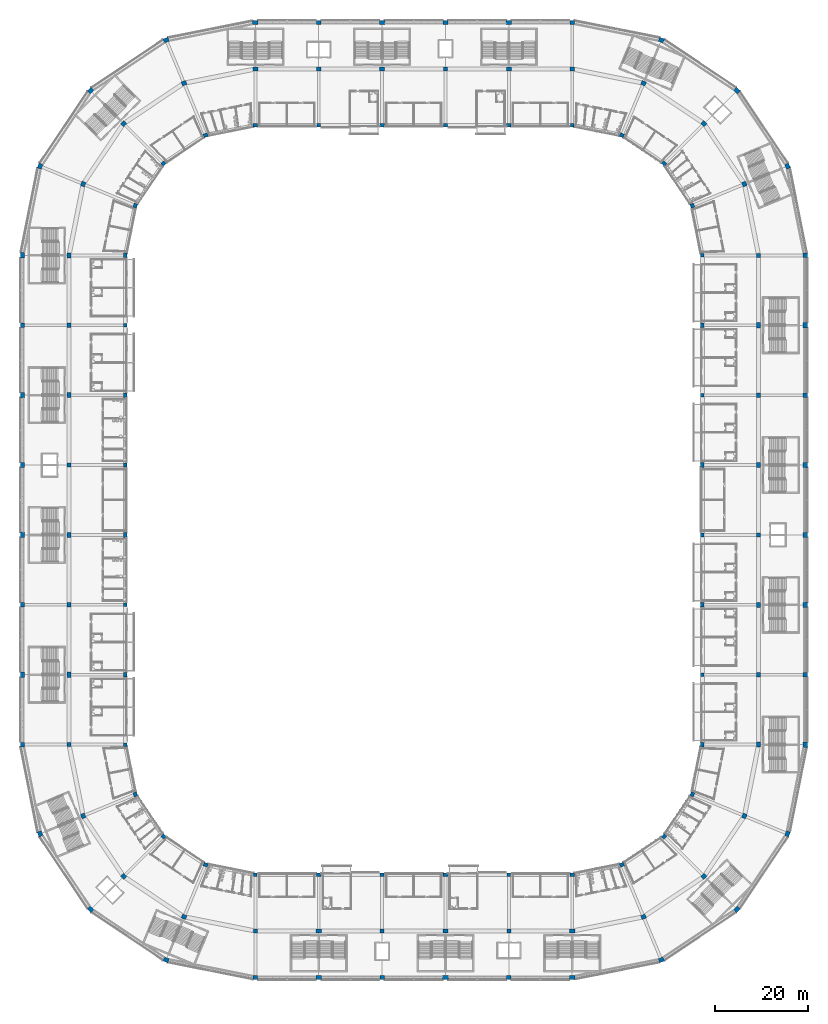
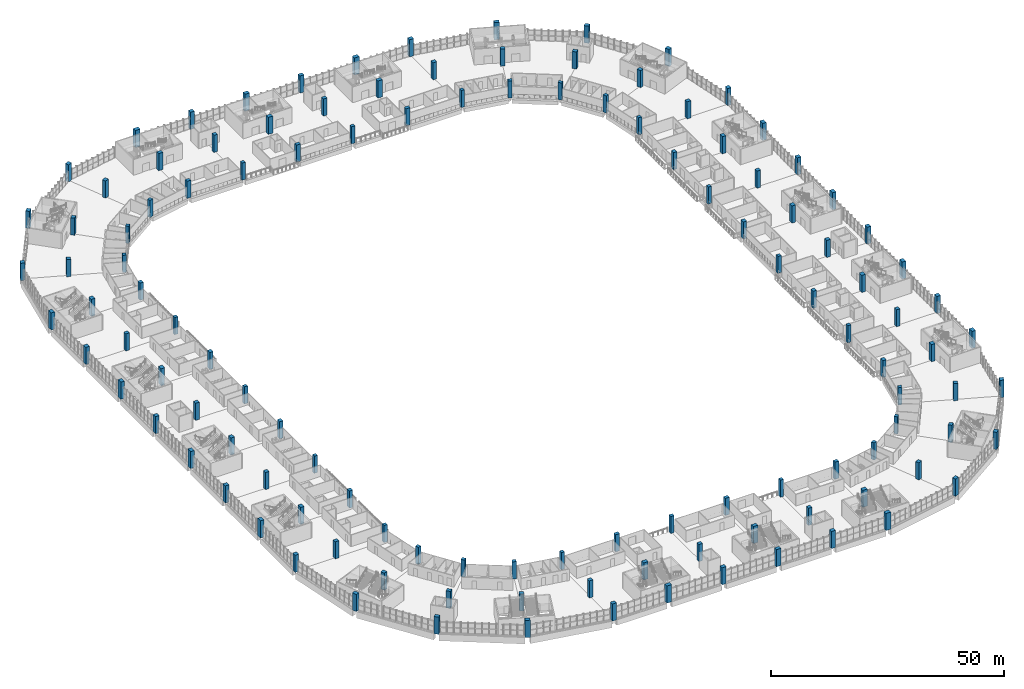
# One storey, part 1 of 199: 120 columns.
"""IFC4 building model written with IfcOpenShell, lengths in metres."""

from ifc_helpers import new_model, si_unit, direction, frame, origin, origin_2d, place, context, subcontext, project, spatial, rectangle, extrude, material, material_profile, profile_set, type_object, element, save


model = new_model("IFC4")

# Units and contexts
model_context = context("Model", 3, precision=1e-05, world=origin(), true_north=direction((0.0, 1.0)))
body_context = subcontext(model_context, "Body", "Model", "MODEL_VIEW")
ifc_project = project(units=[si_unit("LENGTHUNIT", "METRE"), si_unit("AREAUNIT", "SQUARE_METRE"), si_unit("VOLUMEUNIT", "CUBIC_METRE"), si_unit("PLANEANGLEUNIT", "RADIAN"), si_unit("MASSUNIT", "GRAM", prefix="KILO")], contexts=[model_context])

# Site, building, storey
site_placement = place(None, origin())
site = spatial("IfcSite", under=ifc_project, at=site_placement, CompositionType="ELEMENT")
building_placement = place(site_placement, origin())
building = spatial("IfcBuilding", under=site, at=building_placement, Name="Ogive Plaza Stadium", CompositionType="ELEMENT")
storey_placement = place(building_placement, frame((0.0, 0.0, 9.0)))
storey = spatial("IfcBuildingStorey", under=building, at=storey_placement, Name="L02", CompositionType="ELEMENT", Elevation=9.0)

# Columns
ifc_material_1 = material(Name="Concrete C40/50", Category="concrete")
ifc_material_profile_1 = material_profile(ifc_material_1, rectangle(XDim=1.0, YDim=0.800048828125, at=origin_2d()), Name="RC 1000x800")
ifc_profile_set_1 = profile_set([ifc_material_profile_1], Name="Concrete C40/50")
column_type_1 = type_object("IfcColumnType", Name="RC column F3 core 1000x800", PredefinedType="COLUMN", material=ifc_profile_set_1)
for number, where, z_axis, x_axis, name in (
    (1, (61.89990234375, 37.5, 0.0), (0.0, 0.0, 1.0), (0.0, 1.0, 0.0), "Column F3 R02 L02"),
    (2, (61.89990234375, 7.5, 0.0), (0.0, 0.0, 1.0), (0.0, 1.0, 0.0), "Column F3 R04 L02"),
    (3, (61.89990234375, -22.5, 0.0), (0.0, 0.0, 1.0), (0.0, 1.0, 0.0), "Column F3 R06 L02"),
    (4, (61.89990234375, -52.5, 0.0), (0.0, 0.0, 1.0), (0.0, 1.0, 0.0), "Column F3 R08 L02"),
    (5, (34.0, -80.39990234375, 0.0), (0.0, 0.0, 1.0), (1.0, 0.0, 0.0), "Column F3 R12 L02"),
    (6, (6.800048828125, -80.39990234375, 0.0), (0.0, 0.0, 1.0), (1.0, 0.0, 0.0), "Column F3 R14 L02"),
    (7, (-20.39990234375, -80.39990234375, 0.0), (0.0, 0.0, 1.0), (1.0, 0.0, 0.0), "Column F3 R16 L02"),
    (8, (-61.89990234375, -37.5, 0.0), (0.0, 0.0, 1.0), (0.0, -1.0, 0.0), "Column F3 R22 L02"),
    (9, (-61.89990234375, -7.5, 0.0), (0.0, 0.0, 1.0), (0.0, -1.0, 0.0), "Column F3 R24 L02"),
    (10, (-61.89990234375, 22.5, 0.0), (0.0, 0.0, 1.0), (0.0, -1.0, 0.0), "Column F3 R26 L02"),
    (11, (-61.89990234375, 52.5, 0.0), (0.0, 0.0, 1.0), (0.0, -1.0, 0.0), "Column F3 R28 L02"),
    (12, (-34.0, 80.39990234375, 0.0), (0.0, 0.0, 1.0), (-1.0, 0.0, 0.0), "Column F3 R32 L02"),
    (13, (-6.800048828125, 80.39990234375, 0.0), (0.0, 0.0, 1.0), (-1.0, 0.0, 0.0), "Column F3 R34 L02"),
    (14, (20.39990234375, 80.39990234375, 0.0), (0.0, 0.0, 1.0), (-1.0, 0.0, 0.0), "Column F3 R36 L02"),
):
    element("IfcColumn", number, at=place(storey_placement, frame(where, z_axis=z_axis, x_axis=x_axis)), inside=storey, type_object=column_type_1, Name=name, PredefinedType="COLUMN", context=body_context, shape_type="SweptSolid", body=[
        extrude(rectangle(XDim=1.0, YDim=0.800048828125, at=origin_2d()), origin(), (0.0, 0.0, 1.0), 4.5),
    ])
ifc_material_2 = material(Name="Concrete C40/50", Category="concrete")
ifc_material_profile_2 = material_profile(ifc_material_2, rectangle(XDim=0.89990234375, YDim=0.800048828125, at=origin_2d()), Name="RC 900x800")
ifc_profile_set_2 = profile_set([ifc_material_profile_2], Name="Concrete C40/50")
column_type_2 = type_object("IfcColumnType", Name="RC column F3 corner 900x800", PredefinedType="COLUMN", material=ifc_profile_set_2)
for number, where, z_axis, x_axis, name in (
    (15, (59.776123046875, -63.1767578125, 0.0), (0.0, 0.0, 1.0), (0.382683432365, 0.923879532511, 0.0), "Column F3 R09 L02"),
    (16, (53.728271484375, -72.228271484375, 0.0), (0.0, 0.0, 1.0), (0.707106781187, 0.707106781187, 0.0), "Column F3 R10 L02"),
    (17, (44.6767578125, -78.276123046875, 0.0), (0.0, 0.0, 1.0), (0.923879532511, 0.382683432365, 0.0), "Column F3 R11 L02"),
    (18, (-44.6767578125, -78.276123046875, 0.0), (0.0, 0.0, 1.0), (0.923879532511, -0.382683432365, 0.0), "Column F3 R18 L02"),
    (19, (-53.728271484375, -72.228271484375, 0.0), (0.0, 0.0, 1.0), (0.707106781187, -0.707106781187, 0.0), "Column F3 R19 L02"),
    (20, (-59.776123046875, -63.1767578125, 0.0), (0.0, 0.0, 1.0), (0.382683432365, -0.923879532511, 0.0), "Column F3 R20 L02"),
    (21, (-59.776123046875, 63.1767578125, 0.0), (0.0, 0.0, 1.0), (-0.382683432365, -0.923879532511, 0.0), "Column F3 R29 L02"),
    (22, (-53.728271484375, 72.228271484375, 0.0), (0.0, 0.0, 1.0), (-0.707106781187, -0.707106781187, 0.0), "Column F3 R30 L02"),
    (23, (-44.6767578125, 78.276123046875, 0.0), (0.0, 0.0, 1.0), (-0.923879532511, -0.382683432365, 0.0), "Column F3 R31 L02"),
    (24, (44.6767578125, 78.276123046875, 0.0), (0.0, 0.0, 1.0), (-0.923879532511, 0.382683432365, 0.0), "Column F3 R38 L02"),
    (25, (53.728271484375, 72.228271484375, 0.0), (0.0, 0.0, 1.0), (-0.707106781187, 0.707106781187, 0.0), "Column F3 R39 L02"),
    (26, (59.776123046875, 63.1767578125, 0.0), (0.0, 0.0, 1.0), (-0.382683432365, 0.923879532511, 0.0), "Column F3 R40 L02"),
):
    element("IfcColumn", number, at=place(storey_placement, frame(where, z_axis=z_axis, x_axis=x_axis)), inside=storey, type_object=column_type_2, Name=name, PredefinedType="COLUMN", context=body_context, shape_type="SweptSolid", body=[
        extrude(rectangle(XDim=0.89990234375, YDim=0.800048828125, at=origin_2d()), origin(), (0.0, 0.0, 1.0), 4.5),
    ])
ifc_material_3 = material(Name="Concrete C40/50", Category="concrete")
ifc_material_profile_3 = material_profile(ifc_material_3, rectangle(XDim=0.800048828125, YDim=0.800048828125, at=origin_2d()), Name="RC 800x800")
ifc_profile_set_3 = profile_set([ifc_material_profile_3], Name="Concrete C40/50")
column_type_3 = type_object("IfcColumnType", Name="RC column F3 typical 800x800", PredefinedType="COLUMN", material=ifc_profile_set_3)
for number, where, z_axis, x_axis, name in (
    (27, (61.89990234375, 52.5, 0.0), (0.0, 0.0, 1.0), (0.0, 1.0, 0.0), "Column F3 R01 L02"),
    (28, (61.89990234375, 22.5, 0.0), (0.0, 0.0, 1.0), (0.0, 1.0, 0.0), "Column F3 R03 L02"),
    (29, (61.89990234375, -7.5, 0.0), (0.0, 0.0, 1.0), (0.0, 1.0, 0.0), "Column F3 R05 L02"),
    (30, (61.89990234375, -37.5, 0.0), (0.0, 0.0, 1.0), (0.0, 1.0, 0.0), "Column F3 R07 L02"),
    (31, (20.39990234375, -80.39990234375, 0.0), (0.0, 0.0, 1.0), (1.0, 0.0, 0.0), "Column F3 R13 L02"),
    (32, (-6.800048828125, -80.39990234375, 0.0), (0.0, 0.0, 1.0), (1.0, 0.0, 0.0), "Column F3 R15 L02"),
    (33, (-34.0, -80.39990234375, 0.0), (0.0, 0.0, 1.0), (1.0, 0.0, 0.0), "Column F3 R17 L02"),
    (34, (-61.89990234375, -52.5, 0.0), (0.0, 0.0, 1.0), (0.0, -1.0, 0.0), "Column F3 R21 L02"),
    (35, (-61.89990234375, -22.5, 0.0), (0.0, 0.0, 1.0), (0.0, -1.0, 0.0), "Column F3 R23 L02"),
    (36, (-61.89990234375, 7.5, 0.0), (0.0, 0.0, 1.0), (0.0, -1.0, 0.0), "Column F3 R25 L02"),
    (37, (-61.89990234375, 37.5, 0.0), (0.0, 0.0, 1.0), (0.0, -1.0, 0.0), "Column F3 R27 L02"),
    (38, (-20.39990234375, 80.39990234375, 0.0), (0.0, 0.0, 1.0), (-1.0, 0.0, 0.0), "Column F3 R33 L02"),
    (39, (6.800048828125, 80.39990234375, 0.0), (0.0, 0.0, 1.0), (-1.0, 0.0, 0.0), "Column F3 R35 L02"),
    (40, (34.0, 80.39990234375, 0.0), (0.0, 0.0, 1.0), (-1.0, 0.0, 0.0), "Column F3 R37 L02"),
):
    element("IfcColumn", number, at=place(storey_placement, frame(where, z_axis=z_axis, x_axis=x_axis)), inside=storey, type_object=column_type_3, Name=name, PredefinedType="COLUMN", context=body_context, shape_type="SweptSolid", body=[
        extrude(rectangle(XDim=0.800048828125, YDim=0.800048828125, at=origin_2d()), origin(), (0.0, 0.0, 1.0), 4.5),
    ])
ifc_material_4 = material(Name="Concrete C40/50", Category="concrete")
ifc_material_profile_4 = material_profile(ifc_material_4, rectangle(XDim=1.10009765625, YDim=0.89990234375, at=origin_2d()), Name="RC 1100x900")
ifc_profile_set_4 = profile_set([ifc_material_profile_4], Name="Concrete C40/50")
column_type_4 = type_object("IfcColumnType", Name="RC column F4 core 1100x900", PredefinedType="COLUMN", material=ifc_profile_set_4)
for number, where, z_axis, x_axis, name in (
    (41, (74.0, 37.5, 0.0), (0.0, 0.0, 1.0), (0.0, 1.0, 0.0), "Column F4 R02 L02"),
    (42, (74.0, 7.5, 0.0), (0.0, 0.0, 1.0), (0.0, 1.0, 0.0), "Column F4 R04 L02"),
    (43, (74.0, -22.5, 0.0), (0.0, 0.0, 1.0), (0.0, 1.0, 0.0), "Column F4 R06 L02"),
    (44, (74.0, -52.5, 0.0), (0.0, 0.0, 1.0), (0.0, 1.0, 0.0), "Column F4 R08 L02"),
    (45, (34.0, -92.5, 0.0), (0.0, 0.0, 1.0), (1.0, 0.0, 0.0), "Column F4 R12 L02"),
    (46, (6.800048828125, -92.5, 0.0), (0.0, 0.0, 1.0), (1.0, 0.0, 0.0), "Column F4 R14 L02"),
    (47, (-20.39990234375, -92.5, 0.0), (0.0, 0.0, 1.0), (1.0, 0.0, 0.0), "Column F4 R16 L02"),
    (48, (-74.0, -37.5, 0.0), (0.0, 0.0, 1.0), (0.0, -1.0, 0.0), "Column F4 R22 L02"),
    (49, (-74.0, -7.5, 0.0), (0.0, 0.0, 1.0), (0.0, -1.0, 0.0), "Column F4 R24 L02"),
    (50, (-74.0, 22.5, 0.0), (0.0, 0.0, 1.0), (0.0, -1.0, 0.0), "Column F4 R26 L02"),
    (51, (-74.0, 52.5, 0.0), (0.0, 0.0, 1.0), (0.0, -1.0, 0.0), "Column F4 R28 L02"),
    (52, (-34.0, 92.5, 0.0), (0.0, 0.0, 1.0), (-1.0, 0.0, 0.0), "Column F4 R32 L02"),
    (53, (-6.800048828125, 92.5, 0.0), (0.0, 0.0, 1.0), (-1.0, 0.0, 0.0), "Column F4 R34 L02"),
    (54, (20.39990234375, 92.5, 0.0), (0.0, 0.0, 1.0), (-1.0, 0.0, 0.0), "Column F4 R36 L02"),
):
    element("IfcColumn", number, at=place(storey_placement, frame(where, z_axis=z_axis, x_axis=x_axis)), inside=storey, type_object=column_type_4, Name=name, PredefinedType="COLUMN", context=body_context, shape_type="SweptSolid", body=[
        extrude(rectangle(XDim=1.10009765625, YDim=0.89990234375, at=origin_2d()), origin(), (0.0, 0.0, 1.0), 4.5),
    ])
ifc_material_5 = material(Name="Concrete C40/50", Category="concrete")
ifc_material_profile_5 = material_profile(ifc_material_5, rectangle(XDim=1.0, YDim=0.89990234375, at=origin_2d()), Name="RC 1000x900")
ifc_profile_set_5 = profile_set([ifc_material_profile_5], Name="Concrete C40/50")
column_type_5 = type_object("IfcColumnType", Name="RC column F4 corner 1000x900", PredefinedType="COLUMN", material=ifc_profile_set_5)
for number, where, z_axis, x_axis, name in (
    (55, (70.955078125, -67.807373046875, 0.0), (0.0, 0.0, 1.0), (0.382683432365, 0.923879532511, 0.0), "Column F4 R09 L02"),
    (56, (62.2841796875, -80.7841796875, 0.0), (0.0, 0.0, 1.0), (0.707106781187, 0.707106781187, 0.0), "Column F4 R10 L02"),
    (57, (49.307373046875, -89.455078125, 0.0), (0.0, 0.0, 1.0), (0.923879532511, 0.382683432365, 0.0), "Column F4 R11 L02"),
    (58, (-49.307373046875, -89.455078125, 0.0), (0.0, 0.0, 1.0), (0.923879532511, -0.382683432365, 0.0), "Column F4 R18 L02"),
    (59, (-62.2841796875, -80.7841796875, 0.0), (0.0, 0.0, 1.0), (0.707106781187, -0.707106781187, 0.0), "Column F4 R19 L02"),
    (60, (-70.955078125, -67.807373046875, 0.0), (0.0, 0.0, 1.0), (0.382683432365, -0.923879532511, 0.0), "Column F4 R20 L02"),
    (61, (-70.955078125, 67.807373046875, 0.0), (0.0, 0.0, 1.0), (-0.382683432365, -0.923879532511, 0.0), "Column F4 R29 L02"),
    (62, (-62.2841796875, 80.7841796875, 0.0), (0.0, 0.0, 1.0), (-0.707106781187, -0.707106781187, 0.0), "Column F4 R30 L02"),
    (63, (-49.307373046875, 89.455078125, 0.0), (0.0, 0.0, 1.0), (-0.923879532511, -0.382683432365, 0.0), "Column F4 R31 L02"),
    (64, (49.307373046875, 89.455078125, 0.0), (0.0, 0.0, 1.0), (-0.923879532511, 0.382683432365, 0.0), "Column F4 R38 L02"),
    (65, (62.2841796875, 80.7841796875, 0.0), (0.0, 0.0, 1.0), (-0.707106781187, 0.707106781187, 0.0), "Column F4 R39 L02"),
    (66, (70.955078125, 67.807373046875, 0.0), (0.0, 0.0, 1.0), (-0.382683432365, 0.923879532511, 0.0), "Column F4 R40 L02"),
):
    element("IfcColumn", number, at=place(storey_placement, frame(where, z_axis=z_axis, x_axis=x_axis)), inside=storey, type_object=column_type_5, Name=name, PredefinedType="COLUMN", context=body_context, shape_type="SweptSolid", body=[
        extrude(rectangle(XDim=1.0, YDim=0.89990234375, at=origin_2d()), origin(), (0.0, 0.0, 1.0), 4.5),
    ])
ifc_material_6 = material(Name="Concrete C40/50", Category="concrete")
ifc_material_profile_6 = material_profile(ifc_material_6, rectangle(XDim=0.89990234375, YDim=0.89990234375, at=origin_2d()), Name="RC 900x900")
ifc_profile_set_6 = profile_set([ifc_material_profile_6], Name="Concrete C40/50")
column_type_6 = type_object("IfcColumnType", Name="RC column F4 typical 900x900", PredefinedType="COLUMN", material=ifc_profile_set_6)
for number, where, z_axis, x_axis, name in (
    (67, (74.0, 52.5, 0.0), (0.0, 0.0, 1.0), (0.0, 1.0, 0.0), "Column F4 R01 L02"),
    (68, (74.0, 22.5, 0.0), (0.0, 0.0, 1.0), (0.0, 1.0, 0.0), "Column F4 R03 L02"),
    (69, (74.0, -7.5, 0.0), (0.0, 0.0, 1.0), (0.0, 1.0, 0.0), "Column F4 R05 L02"),
    (70, (74.0, -37.5, 0.0), (0.0, 0.0, 1.0), (0.0, 1.0, 0.0), "Column F4 R07 L02"),
    (71, (20.39990234375, -92.5, 0.0), (0.0, 0.0, 1.0), (1.0, 0.0, 0.0), "Column F4 R13 L02"),
    (72, (-6.800048828125, -92.5, 0.0), (0.0, 0.0, 1.0), (1.0, 0.0, 0.0), "Column F4 R15 L02"),
    (73, (-34.0, -92.5, 0.0), (0.0, 0.0, 1.0), (1.0, 0.0, 0.0), "Column F4 R17 L02"),
    (74, (-74.0, -52.5, 0.0), (0.0, 0.0, 1.0), (0.0, -1.0, 0.0), "Column F4 R21 L02"),
    (75, (-74.0, -22.5, 0.0), (0.0, 0.0, 1.0), (0.0, -1.0, 0.0), "Column F4 R23 L02"),
    (76, (-74.0, 7.5, 0.0), (0.0, 0.0, 1.0), (0.0, -1.0, 0.0), "Column F4 R25 L02"),
    (77, (-74.0, 37.5, 0.0), (0.0, 0.0, 1.0), (0.0, -1.0, 0.0), "Column F4 R27 L02"),
    (78, (-20.39990234375, 92.5, 0.0), (0.0, 0.0, 1.0), (-1.0, 0.0, 0.0), "Column F4 R33 L02"),
    (79, (6.800048828125, 92.5, 0.0), (0.0, 0.0, 1.0), (-1.0, 0.0, 0.0), "Column F4 R35 L02"),
    (80, (34.0, 92.5, 0.0), (0.0, 0.0, 1.0), (-1.0, 0.0, 0.0), "Column F4 R37 L02"),
):
    element("IfcColumn", number, at=place(storey_placement, frame(where, z_axis=z_axis, x_axis=x_axis)), inside=storey, type_object=column_type_6, Name=name, PredefinedType="COLUMN", context=body_context, shape_type="SweptSolid", body=[
        extrude(rectangle(XDim=0.89990234375, YDim=0.89990234375, at=origin_2d()), origin(), (0.0, 0.0, 1.0), 4.5),
    ])
ifc_material_7 = material(Name="Concrete C40/50", Category="concrete")
ifc_material_profile_7 = material_profile(ifc_material_7, rectangle(XDim=1.199951171875, YDim=0.89990234375, at=origin_2d()), Name="RC 1200x900")
ifc_profile_set_7 = profile_set([ifc_material_profile_7], Name="Concrete C40/50")
column_type_7 = type_object("IfcColumnType", Name="RC column F5 core 1200x900", PredefinedType="COLUMN", material=ifc_profile_set_7)
for number, where, z_axis, x_axis, name in (
    (81, (84.0, 37.5, 0.0), (0.0, 0.0, 1.0), (0.0, 1.0, 0.0), "Column F5 R02 L02"),
    (82, (84.0, 7.5, 0.0), (0.0, 0.0, 1.0), (0.0, 1.0, 0.0), "Column F5 R04 L02"),
    (83, (84.0, -22.5, 0.0), (0.0, 0.0, 1.0), (0.0, 1.0, 0.0), "Column F5 R06 L02"),
    (84, (84.0, -52.5, 0.0), (0.0, 0.0, 1.0), (0.0, 1.0, 0.0), "Column F5 R08 L02"),
    (85, (34.0, -102.5, 0.0), (0.0, 0.0, 1.0), (1.0, 0.0, 0.0), "Column F5 R12 L02"),
    (86, (6.800048828125, -102.5, 0.0), (0.0, 0.0, 1.0), (1.0, 0.0, 0.0), "Column F5 R14 L02"),
    (87, (-20.39990234375, -102.5, 0.0), (0.0, 0.0, 1.0), (1.0, 0.0, 0.0), "Column F5 R16 L02"),
    (88, (-84.0, -37.5, 0.0), (0.0, 0.0, 1.0), (0.0, -1.0, 0.0), "Column F5 R22 L02"),
    (89, (-84.0, -7.5, 0.0), (0.0, 0.0, 1.0), (0.0, -1.0, 0.0), "Column F5 R24 L02"),
    (90, (-84.0, 22.5, 0.0), (0.0, 0.0, 1.0), (0.0, -1.0, 0.0), "Column F5 R26 L02"),
    (91, (-84.0, 52.5, 0.0), (0.0, 0.0, 1.0), (0.0, -1.0, 0.0), "Column F5 R28 L02"),
    (92, (-34.0, 102.5, 0.0), (0.0, 0.0, 1.0), (-1.0, 0.0, 0.0), "Column F5 R32 L02"),
    (93, (-6.800048828125, 102.5, 0.0), (0.0, 0.0, 1.0), (-1.0, 0.0, 0.0), "Column F5 R34 L02"),
    (94, (20.39990234375, 102.5, 0.0), (0.0, 0.0, 1.0), (-1.0, 0.0, 0.0), "Column F5 R36 L02"),
):
    element("IfcColumn", number, at=place(storey_placement, frame(where, z_axis=z_axis, x_axis=x_axis)), inside=storey, type_object=column_type_7, Name=name, PredefinedType="COLUMN", context=body_context, shape_type="SweptSolid", body=[
        extrude(rectangle(XDim=1.199951171875, YDim=0.89990234375, at=origin_2d()), origin(), (0.0, 0.0, 1.0), 4.5),
    ])
ifc_material_8 = material(Name="Concrete C40/50", Category="concrete")
ifc_material_profile_8 = material_profile(ifc_material_8, rectangle(XDim=1.10009765625, YDim=0.89990234375, at=origin_2d()), Name="RC 1100x900")
ifc_profile_set_8 = profile_set([ifc_material_profile_8], Name="Concrete C40/50")
column_type_8 = type_object("IfcColumnType", Name="RC column F5 corner 1100x900", PredefinedType="COLUMN", material=ifc_profile_set_8)
for number, where, z_axis, x_axis, name in (
    (95, (80.194091796875, -71.63427734375, 0.0), (0.0, 0.0, 1.0), (0.382683432365, 0.923879532511, 0.0), "Column F5 R09 L02"),
    (96, (69.355224609375, -87.855224609375, 0.0), (0.0, 0.0, 1.0), (0.707106781187, 0.707106781187, 0.0), "Column F5 R10 L02"),
    (97, (53.13427734375, -98.694091796875, 0.0), (0.0, 0.0, 1.0), (0.923879532511, 0.382683432365, 0.0), "Column F5 R11 L02"),
    (98, (-53.13427734375, -98.694091796875, 0.0), (0.0, 0.0, 1.0), (0.923879532511, -0.382683432365, 0.0), "Column F5 R18 L02"),
    (99, (-69.355224609375, -87.855224609375, 0.0), (0.0, 0.0, 1.0), (0.707106781187, -0.707106781187, 0.0), "Column F5 R19 L02"),
    (100, (-80.194091796875, -71.63427734375, 0.0), (0.0, 0.0, 1.0), (0.382683432365, -0.923879532511, 0.0), "Column F5 R20 L02"),
    (101, (-80.194091796875, 71.63427734375, 0.0), (0.0, 0.0, 1.0), (-0.382683432365, -0.923879532511, 0.0), "Column F5 R29 L02"),
    (102, (-69.355224609375, 87.855224609375, 0.0), (0.0, 0.0, 1.0), (-0.707106781187, -0.707106781187, 0.0), "Column F5 R30 L02"),
    (103, (-53.13427734375, 98.694091796875, 0.0), (0.0, 0.0, 1.0), (-0.923879532511, -0.382683432365, 0.0), "Column F5 R31 L02"),
    (104, (53.13427734375, 98.694091796875, 0.0), (0.0, 0.0, 1.0), (-0.923879532511, 0.382683432365, 0.0), "Column F5 R38 L02"),
    (105, (69.355224609375, 87.855224609375, 0.0), (0.0, 0.0, 1.0), (-0.707106781187, 0.707106781187, 0.0), "Column F5 R39 L02"),
    (106, (80.194091796875, 71.63427734375, 0.0), (0.0, 0.0, 1.0), (-0.382683432365, 0.923879532511, 0.0), "Column F5 R40 L02"),
):
    element("IfcColumn", number, at=place(storey_placement, frame(where, z_axis=z_axis, x_axis=x_axis)), inside=storey, type_object=column_type_8, Name=name, PredefinedType="COLUMN", context=body_context, shape_type="SweptSolid", body=[
        extrude(rectangle(XDim=1.10009765625, YDim=0.89990234375, at=origin_2d()), origin(), (0.0, 0.0, 1.0), 4.5),
    ])
ifc_material_9 = material(Name="Concrete C40/50", Category="concrete")
ifc_material_profile_9 = material_profile(ifc_material_9, rectangle(XDim=1.0, YDim=0.89990234375, at=origin_2d()), Name="RC 1000x900")
ifc_profile_set_9 = profile_set([ifc_material_profile_9], Name="Concrete C40/50")
column_type_9 = type_object("IfcColumnType", Name="RC column F5 typical 1000x900", PredefinedType="COLUMN", material=ifc_profile_set_9)
for number, where, z_axis, x_axis, name in (
    (107, (84.0, 52.5, 0.0), (0.0, 0.0, 1.0), (0.0, 1.0, 0.0), "Column F5 R01 L02"),
    (108, (84.0, 22.5, 0.0), (0.0, 0.0, 1.0), (0.0, 1.0, 0.0), "Column F5 R03 L02"),
    (109, (84.0, -7.5, 0.0), (0.0, 0.0, 1.0), (0.0, 1.0, 0.0), "Column F5 R05 L02"),
    (110, (84.0, -37.5, 0.0), (0.0, 0.0, 1.0), (0.0, 1.0, 0.0), "Column F5 R07 L02"),
    (111, (20.39990234375, -102.5, 0.0), (0.0, 0.0, 1.0), (1.0, 0.0, 0.0), "Column F5 R13 L02"),
    (112, (-6.800048828125, -102.5, 0.0), (0.0, 0.0, 1.0), (1.0, 0.0, 0.0), "Column F5 R15 L02"),
    (113, (-34.0, -102.5, 0.0), (0.0, 0.0, 1.0), (1.0, 0.0, 0.0), "Column F5 R17 L02"),
    (114, (-84.0, -52.5, 0.0), (0.0, 0.0, 1.0), (0.0, -1.0, 0.0), "Column F5 R21 L02"),
    (115, (-84.0, -22.5, 0.0), (0.0, 0.0, 1.0), (0.0, -1.0, 0.0), "Column F5 R23 L02"),
    (116, (-84.0, 7.5, 0.0), (0.0, 0.0, 1.0), (0.0, -1.0, 0.0), "Column F5 R25 L02"),
    (117, (-84.0, 37.5, 0.0), (0.0, 0.0, 1.0), (0.0, -1.0, 0.0), "Column F5 R27 L02"),
    (118, (-20.39990234375, 102.5, 0.0), (0.0, 0.0, 1.0), (-1.0, 0.0, 0.0), "Column F5 R33 L02"),
    (119, (6.800048828125, 102.5, 0.0), (0.0, 0.0, 1.0), (-1.0, 0.0, 0.0), "Column F5 R35 L02"),
    (120, (34.0, 102.5, 0.0), (0.0, 0.0, 1.0), (-1.0, 0.0, 0.0), "Column F5 R37 L02"),
):
    element("IfcColumn", number, at=place(storey_placement, frame(where, z_axis=z_axis, x_axis=x_axis)), inside=storey, type_object=column_type_9, Name=name, PredefinedType="COLUMN", context=body_context, shape_type="SweptSolid", body=[
        extrude(rectangle(XDim=1.0, YDim=0.89990234375, at=origin_2d()), origin(), (0.0, 0.0, 1.0), 4.5),
    ])

save(model, "model.ifc")
